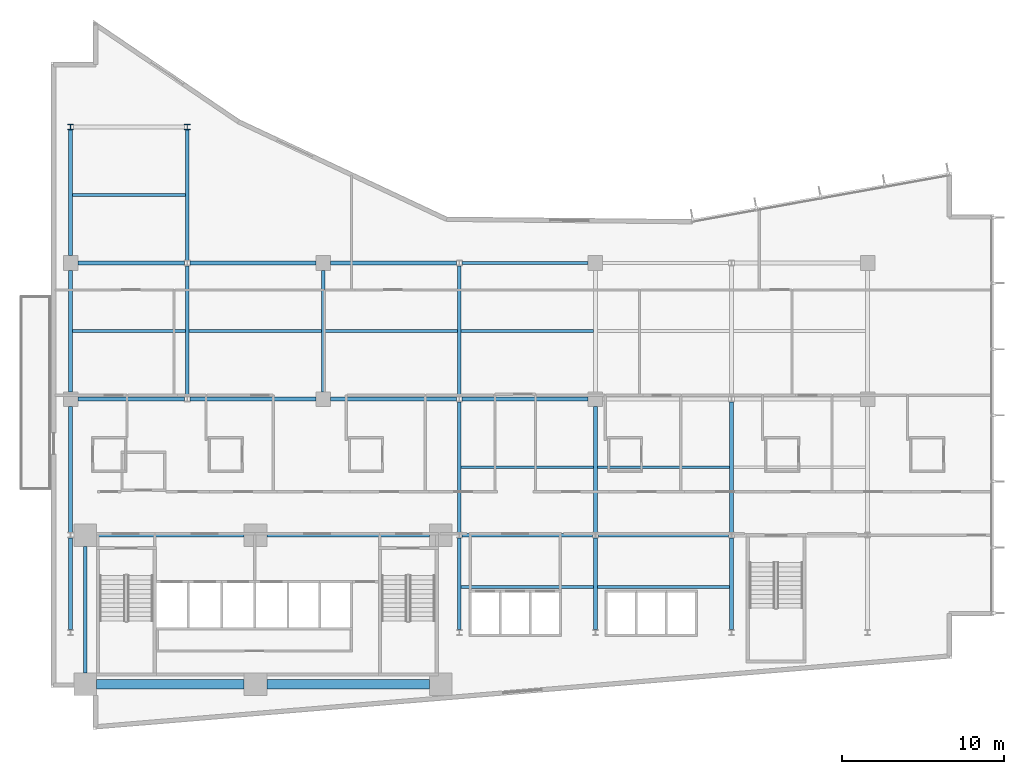
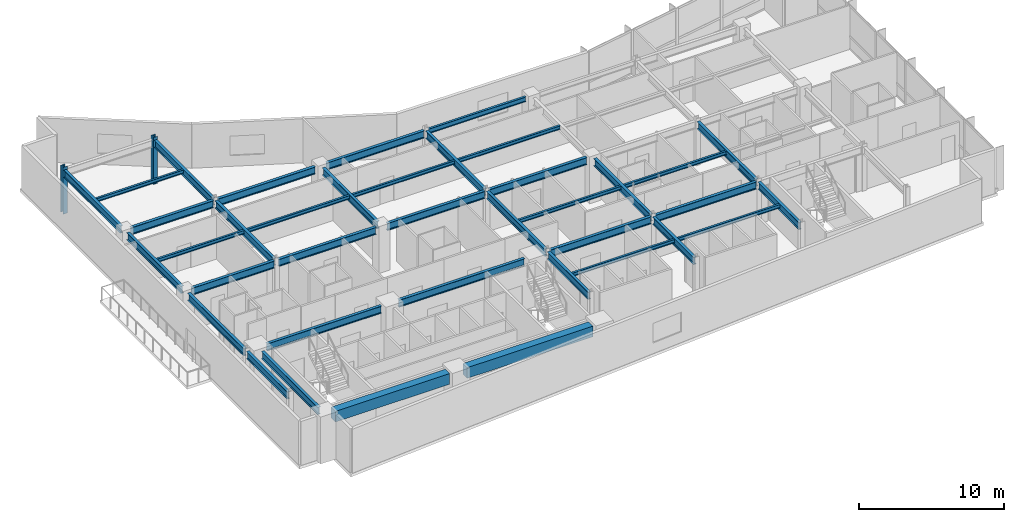
# One storey, part 3 of 20: 38 beams, 2 columns.
"""IFC4 building model written with IfcOpenShell, lengths in metres."""

from ifc_helpers import new_model, si_unit, direction, frame, origin, origin_2d, place, context, subcontext, project, spatial, rectangle, i_section, extrude, material, material_profile, profile_set, type_object, element, save


model = new_model("IFC4")

# Units and contexts
model_context = context("Model", 3, precision=1e-05, world=origin(), true_north=direction((0.0, 1.0)))
body_context = subcontext(model_context, "Body", "Model", "MODEL_VIEW")
ifc_project = project(units=[si_unit("LENGTHUNIT", "METRE"), si_unit("AREAUNIT", "SQUARE_METRE"), si_unit("VOLUMEUNIT", "CUBIC_METRE"), si_unit("PLANEANGLEUNIT", "RADIAN"), si_unit("MASSUNIT", "GRAM", prefix="KILO")], contexts=[model_context])

# Site, building, storey
site_placement = place(None, origin())
site = spatial("IfcSite", under=ifc_project, at=site_placement, CompositionType="ELEMENT")
building_placement = place(site_placement, origin())
building = spatial("IfcBuilding", under=site, at=building_placement, Name="Varnakote Quay Hospital", CompositionType="ELEMENT")
storey_placement = place(building_placement, frame((0.0, 0.0, 26.449951171875)))
storey = spatial("IfcBuildingStorey", under=building, at=storey_placement, Name="L06", CompositionType="ELEMENT", Elevation=26.449951171875)

# Columns
ifc_material_1 = material(Name="Structural steel AS/NZS 3678 Grade 350 (fy 340 MPa)", Category="steel")
ifc_material_profile_1 = material_profile(ifc_material_1, i_section(OverallWidth=0.35009765625, OverallDepth=0.340087890625, WebThickness=0.01611328125, FlangeThickness=0.028076171875, at=origin_2d()), Name="350WC197")
ifc_profile_set_1 = profile_set([ifc_material_profile_1], Name="Structural steel AS/NZS 3678 Grade 350 (fy 340 MPa)")
column_type = type_object("IfcColumnType", Name="COL-STL-350WC197", PredefinedType="COLUMN", material=ifc_profile_set_1)
for number, where, z_axis, x_axis, name in (
    (1, (1.199951171875, 37.199951171875, 0.0), (0.0, 0.0, 1.0), (1.0, 0.0, 0.0), "L06 Structural Column C-1-37"),
    (2, (8.39990234375, 37.199951171875, 0.0), (0.0, 0.0, 1.0), (1.0, 0.0, 0.0), "L06 Structural Column C-8-37"),
):
    element("IfcColumn", number, at=place(storey_placement, frame(where, z_axis=z_axis, x_axis=x_axis)), inside=storey, type_object=column_type, Name=name, PredefinedType="COLUMN", context=body_context, shape_type="SweptSolid", body=[
        extrude(i_section(OverallWidth=0.35009765625, OverallDepth=0.340087890625, WebThickness=0.01611328125, FlangeThickness=0.028076171875, at=origin_2d()), origin(), (0.0, 0.0, 1.0), 3.949951171875),
    ])

# Beams
ifc_material_2 = material(Name="Concrete N65 (f'c 65 MPa)", Category="concrete")
ifc_material_profile_2 = material_profile(ifc_material_2, rectangle(XDim=0.60009765625, YDim=0.89990234375, at=origin_2d()), Name="RC-BM-600x900")
ifc_profile_set_2 = profile_set([ifc_material_profile_2], Name="Concrete N65 (f'c 65 MPa)")
beam_type_1 = type_object("IfcBeamType", Name="BM-RC-600x900", PredefinedType="BEAM", material=ifc_profile_set_2)
beam_1_placement = place(storey_placement, frame((2.800048828125, 2.800048828125, 3.260009765625), z_axis=(1.0, 0.0, 0.0), x_axis=(0.0, 1.0, 0.0)))
element("IfcBeam", 3, at=beam_1_placement, inside=storey, type_object=beam_type_1, Name="L06 Core Rear Coupling Beam", PredefinedType="BEAM", context=body_context, shape_type="SweptSolid", body=[
    extrude(rectangle(XDim=0.60009765625, YDim=0.89990234375, at=origin_2d()), origin(), (0.0, 0.0, 1.0), 9.119873046875),
])
beam_2_placement = place(storey_placement, frame((13.320068359375, 2.800048828125, 3.260009765625), z_axis=(1.0, 0.0, 0.0), x_axis=(0.0, 1.0, 0.0)))
element("IfcBeam", 4, at=beam_2_placement, inside=storey, type_object=beam_type_1, Name="L06 Core Rear Coupling Beam", PredefinedType="BEAM", context=body_context, shape_type="SweptSolid", body=[
    extrude(rectangle(XDim=0.60009765625, YDim=0.89990234375, at=origin_2d()), origin(), (0.0, 0.0, 1.0), 10.030029296875),
])
ifc_material_3 = material(Name="Structural steel AS/NZS 3679.1 Grade 350 L0 (fy 340 MPa)", Category="steel")
ifc_material_profile_3 = material_profile(ifc_material_3, i_section(OverallWidth=0.22900390625, OverallDepth=0.612060546875, WebThickness=0.011962890625, FlangeThickness=0.01953125, FilletRadius=0.013916015625, at=origin_2d()), Name="610UB125")
ifc_profile_set_3 = profile_set([ifc_material_profile_3], Name="Structural steel AS/NZS 3679.1 Grade 350 L0 (fy 340 MPa)")
beam_type_2 = type_object("IfcBeamType", Name="BM-STL-610UB125", PredefinedType="BEAM", material=ifc_profile_set_3)
beam_3_placement = place(storey_placement, frame((2.800048828125, 12.0, 3.404052734375), z_axis=(1.0, 0.0, 0.0), x_axis=(0.0, 1.0, 0.0)))
element("IfcBeam", 5, at=beam_3_placement, inside=storey, type_object=beam_type_2, Name="L06 Primary Floor Beam", PredefinedType="BEAM", context=body_context, shape_type="SweptSolid", body=[
    extrude(i_section(OverallWidth=0.22900390625, OverallDepth=0.612060546875, WebThickness=0.011962890625, FlangeThickness=0.01953125, FilletRadius=0.013916015625, at=origin_2d()), origin(), (0.0, 0.0, 1.0), 9.119873046875),
])
beam_4_placement = place(storey_placement, frame((13.320068359375, 12.0, 3.404052734375), z_axis=(1.0, 0.0, 0.0), x_axis=(0.0, 1.0, 0.0)))
element("IfcBeam", 6, at=beam_4_placement, inside=storey, type_object=beam_type_2, Name="L06 Primary Floor Beam", PredefinedType="BEAM", context=body_context, shape_type="SweptSolid", body=[
    extrude(i_section(OverallWidth=0.22900390625, OverallDepth=0.612060546875, WebThickness=0.011962890625, FlangeThickness=0.01953125, FilletRadius=0.013916015625, at=origin_2d()), origin(), (0.0, 0.0, 1.0), 10.030029296875),
])
for number, where, z_axis, x_axis, name in (
    (7, (25.375, 12.0, 3.404052734375), (1.0, 0.0, 0.0), (0.0, 1.0, 0.0), "L06 Primary Floor Beam"),
    (8, (33.77490234375, 12.0, 3.404052734375), (1.0, 0.0, 0.0), (0.0, 1.0, 0.0), "L06 Primary Floor Beam"),
):
    element("IfcBeam", number, at=place(storey_placement, frame(where, z_axis=z_axis, x_axis=x_axis)), inside=storey, type_object=beam_type_2, Name=name, PredefinedType="BEAM", context=body_context, shape_type="SweptSolid", body=[
        extrude(i_section(OverallWidth=0.22900390625, OverallDepth=0.612060546875, WebThickness=0.011962890625, FlangeThickness=0.01953125, FilletRadius=0.013916015625, at=origin_2d()), origin(), (0.0, 0.0, 1.0), 8.050048828125),
    ])
beam_5_placement = place(storey_placement, frame((1.64990234375, 20.39990234375, 3.404052734375), z_axis=(1.0, 0.0, 0.0), x_axis=(0.0, 1.0, 0.0)))
element("IfcBeam", 9, at=beam_5_placement, inside=storey, type_object=beam_type_2, Name="L06 Primary Floor Beam", PredefinedType="BEAM", context=body_context, shape_type="SweptSolid", body=[
    extrude(i_section(OverallWidth=0.22900390625, OverallDepth=0.612060546875, WebThickness=0.011962890625, FlangeThickness=0.01953125, FilletRadius=0.013916015625, at=origin_2d()), origin(), (0.0, 0.0, 1.0), 6.5751953125),
])
beam_6_placement = place(storey_placement, frame((8.574951171875, 20.39990234375, 3.404052734375), z_axis=(1.0, 0.0, 0.0), x_axis=(0.0, 1.0, 0.0)))
element("IfcBeam", 10, at=beam_6_placement, inside=storey, type_object=beam_type_2, Name="L06 Primary Floor Beam", PredefinedType="BEAM", context=body_context, shape_type="SweptSolid", body=[
    extrude(i_section(OverallWidth=0.22900390625, OverallDepth=0.612060546875, WebThickness=0.011962890625, FlangeThickness=0.01953125, FilletRadius=0.013916015625, at=origin_2d()), origin(), (0.0, 0.0, 1.0), 7.775146484375),
])
for number, where, z_axis, x_axis, name in (
    (11, (17.25, 20.39990234375, 3.404052734375), (1.0, 0.0, 0.0), (0.0, 1.0, 0.0), "L06 Primary Floor Beam"),
    (12, (25.375, 20.39990234375, 3.404052734375), (1.0, 0.0, 0.0), (0.0, 1.0, 0.0), "L06 Primary Floor Beam"),
):
    element("IfcBeam", number, at=place(storey_placement, frame(where, z_axis=z_axis, x_axis=x_axis)), inside=storey, type_object=beam_type_2, Name=name, PredefinedType="BEAM", context=body_context, shape_type="SweptSolid", body=[
        extrude(i_section(OverallWidth=0.22900390625, OverallDepth=0.612060546875, WebThickness=0.011962890625, FlangeThickness=0.01953125, FilletRadius=0.013916015625, at=origin_2d()), origin(), (0.0, 0.0, 1.0), 7.77490234375),
    ])
beam_7_placement = place(storey_placement, frame((1.64990234375, 28.800048828125, 3.404052734375), z_axis=(1.0, 0.0, 0.0), x_axis=(0.0, 1.0, 0.0)))
element("IfcBeam", 13, at=beam_7_placement, inside=storey, type_object=beam_type_2, Name="L06 Primary Floor Beam", PredefinedType="BEAM", context=body_context, shape_type="SweptSolid", body=[
    extrude(i_section(OverallWidth=0.22900390625, OverallDepth=0.612060546875, WebThickness=0.011962890625, FlangeThickness=0.01953125, FilletRadius=0.013916015625, at=origin_2d()), origin(), (0.0, 0.0, 1.0), 6.5751953125),
])
beam_8_placement = place(storey_placement, frame((8.574951171875, 28.800048828125, 3.404052734375), z_axis=(1.0, 0.0, 0.0), x_axis=(0.0, 1.0, 0.0)))
element("IfcBeam", 14, at=beam_8_placement, inside=storey, type_object=beam_type_2, Name="L06 Primary Floor Beam", PredefinedType="BEAM", context=body_context, shape_type="SweptSolid", body=[
    extrude(i_section(OverallWidth=0.22900390625, OverallDepth=0.612060546875, WebThickness=0.011962890625, FlangeThickness=0.01953125, FilletRadius=0.013916015625, at=origin_2d()), origin(), (0.0, 0.0, 1.0), 7.775146484375),
])
beam_9_placement = place(storey_placement, frame((17.25, 28.800048828125, 3.404052734375), z_axis=(1.0, 0.0, 0.0), x_axis=(0.0, 1.0, 0.0)))
element("IfcBeam", 15, at=beam_9_placement, inside=storey, type_object=beam_type_2, Name="L06 Primary Floor Beam", PredefinedType="BEAM", context=body_context, shape_type="SweptSolid", body=[
    extrude(i_section(OverallWidth=0.22900390625, OverallDepth=0.612060546875, WebThickness=0.011962890625, FlangeThickness=0.01953125, FilletRadius=0.013916015625, at=origin_2d()), origin(), (0.0, 0.0, 1.0), 7.77490234375),
])
beam_10_placement = place(storey_placement, frame((1.199951171875, 6.169921875, 3.404052734375), z_axis=(0.0, 1.0, 0.0), x_axis=(-1.0, 0.0, 0.0)))
element("IfcBeam", 16, at=beam_10_placement, inside=storey, type_object=beam_type_2, Name="L06 Primary Tie Beam", PredefinedType="BEAM", context=body_context, shape_type="SweptSolid", body=[
    extrude(i_section(OverallWidth=0.22900390625, OverallDepth=0.612060546875, WebThickness=0.011962890625, FlangeThickness=0.01953125, FilletRadius=0.013916015625, at=origin_2d()), origin(), (0.0, 0.0, 1.0), 5.66015625),
])
beam_11_placement = place(storey_placement, frame((1.199951171875, 12.169921875, 3.404052734375), z_axis=(0.0, 1.0, 0.0), x_axis=(-1.0, 0.0, 0.0)))
element("IfcBeam", 17, at=beam_11_placement, inside=storey, type_object=beam_type_2, Name="L06 Primary Tie Beam", PredefinedType="BEAM", context=body_context, shape_type="SweptSolid", body=[
    extrude(i_section(OverallWidth=0.22900390625, OverallDepth=0.612060546875, WebThickness=0.011962890625, FlangeThickness=0.01953125, FilletRadius=0.013916015625, at=origin_2d()), origin(), (0.0, 0.0, 1.0), 7.780029296875),
])
beam_12_placement = place(storey_placement, frame((1.199951171875, 20.85009765625, 3.404052734375), z_axis=(0.0, 1.0, 0.0), x_axis=(-1.0, 0.0, 0.0)))
element("IfcBeam", 18, at=beam_12_placement, inside=storey, type_object=beam_type_2, Name="L06 Primary Tie Beam", PredefinedType="BEAM", context=body_context, shape_type="SweptSolid", body=[
    extrude(i_section(OverallWidth=0.22900390625, OverallDepth=0.612060546875, WebThickness=0.011962890625, FlangeThickness=0.01953125, FilletRadius=0.013916015625, at=origin_2d()), origin(), (0.0, 0.0, 1.0), 7.5),
])
beam_13_placement = place(storey_placement, frame((1.199951171875, 29.25, 3.404052734375), z_axis=(0.0, 1.0, 0.0), x_axis=(-1.0, 0.0, 0.0)))
element("IfcBeam", 19, at=beam_13_placement, inside=storey, type_object=beam_type_2, Name="L06 Primary Tie Beam", PredefinedType="BEAM", context=body_context, shape_type="SweptSolid", body=[
    extrude(i_section(OverallWidth=0.22900390625, OverallDepth=0.612060546875, WebThickness=0.011962890625, FlangeThickness=0.01953125, FilletRadius=0.013916015625, at=origin_2d()), origin(), (0.0, 0.0, 1.0), 7.780029296875),
])
beam_14_placement = place(storey_placement, frame((2.10009765625, 3.5, 3.404052734375), z_axis=(0.0, 1.0, 0.0), x_axis=(-1.0, 0.0, 0.0)))
element("IfcBeam", 20, at=beam_14_placement, inside=storey, type_object=beam_type_2, Name="L06 Primary Tie Beam", PredefinedType="BEAM", context=body_context, shape_type="SweptSolid", body=[
    extrude(i_section(OverallWidth=0.22900390625, OverallDepth=0.612060546875, WebThickness=0.011962890625, FlangeThickness=0.01953125, FilletRadius=0.013916015625, at=origin_2d()), origin(), (0.0, 0.0, 1.0), 7.800048828125),
])
beam_15_placement = place(storey_placement, frame((8.39990234375, 20.570068359375, 3.404052734375), z_axis=(0.0, 1.0, 0.0), x_axis=(-1.0, 0.0, 0.0)))
element("IfcBeam", 21, at=beam_15_placement, inside=storey, type_object=beam_type_2, Name="L06 Primary Tie Beam", PredefinedType="BEAM", context=body_context, shape_type="SweptSolid", body=[
    extrude(i_section(OverallWidth=0.22900390625, OverallDepth=0.612060546875, WebThickness=0.011962890625, FlangeThickness=0.01953125, FilletRadius=0.013916015625, at=origin_2d()), origin(), (0.0, 0.0, 1.0), 8.059814453125),
])
beam_16_placement = place(storey_placement, frame((8.39990234375, 28.969970703125, 3.404052734375), z_axis=(0.0, 1.0, 0.0), x_axis=(-1.0, 0.0, 0.0)))
element("IfcBeam", 22, at=beam_16_placement, inside=storey, type_object=beam_type_2, Name="L06 Primary Tie Beam", PredefinedType="BEAM", context=body_context, shape_type="SweptSolid", body=[
    extrude(i_section(OverallWidth=0.22900390625, OverallDepth=0.612060546875, WebThickness=0.011962890625, FlangeThickness=0.01953125, FilletRadius=0.013916015625, at=origin_2d()), origin(), (0.0, 0.0, 1.0), 8.06005859375),
])
beam_17_placement = place(storey_placement, frame((16.800048828125, 20.85009765625, 3.404052734375), z_axis=(0.0, 1.0, 0.0), x_axis=(-1.0, 0.0, 0.0)))
element("IfcBeam", 23, at=beam_17_placement, inside=storey, type_object=beam_type_2, Name="L06 Primary Tie Beam", PredefinedType="BEAM", context=body_context, shape_type="SweptSolid", body=[
    extrude(i_section(OverallWidth=0.22900390625, OverallDepth=0.612060546875, WebThickness=0.011962890625, FlangeThickness=0.01953125, FilletRadius=0.013916015625, at=origin_2d()), origin(), (0.0, 0.0, 1.0), 7.5),
])
beam_18_placement = place(storey_placement, frame((25.199951171875, 6.169921875, 3.404052734375), z_axis=(0.0, 1.0, 0.0), x_axis=(-1.0, 0.0, 0.0)))
element("IfcBeam", 24, at=beam_18_placement, inside=storey, type_object=beam_type_2, Name="L06 Primary Tie Beam", PredefinedType="BEAM", context=body_context, shape_type="SweptSolid", body=[
    extrude(i_section(OverallWidth=0.22900390625, OverallDepth=0.612060546875, WebThickness=0.011962890625, FlangeThickness=0.01953125, FilletRadius=0.013916015625, at=origin_2d()), origin(), (0.0, 0.0, 1.0), 5.66015625),
])
beam_19_placement = place(storey_placement, frame((25.199951171875, 12.169921875, 3.404052734375), z_axis=(0.0, 1.0, 0.0), x_axis=(-1.0, 0.0, 0.0)))
element("IfcBeam", 25, at=beam_19_placement, inside=storey, type_object=beam_type_2, Name="L06 Primary Tie Beam", PredefinedType="BEAM", context=body_context, shape_type="SweptSolid", body=[
    extrude(i_section(OverallWidth=0.22900390625, OverallDepth=0.612060546875, WebThickness=0.011962890625, FlangeThickness=0.01953125, FilletRadius=0.013916015625, at=origin_2d()), origin(), (0.0, 0.0, 1.0), 8.06005859375),
])
beam_20_placement = place(storey_placement, frame((25.199951171875, 20.570068359375, 3.404052734375), z_axis=(0.0, 1.0, 0.0), x_axis=(-1.0, 0.0, 0.0)))
element("IfcBeam", 26, at=beam_20_placement, inside=storey, type_object=beam_type_2, Name="L06 Primary Tie Beam", PredefinedType="BEAM", context=body_context, shape_type="SweptSolid", body=[
    extrude(i_section(OverallWidth=0.22900390625, OverallDepth=0.612060546875, WebThickness=0.011962890625, FlangeThickness=0.01953125, FilletRadius=0.013916015625, at=origin_2d()), origin(), (0.0, 0.0, 1.0), 8.059814453125),
])
beam_21_placement = place(storey_placement, frame((33.60009765625, 6.169921875, 3.404052734375), z_axis=(0.0, 1.0, 0.0), x_axis=(-1.0, 0.0, 0.0)))
element("IfcBeam", 27, at=beam_21_placement, inside=storey, type_object=beam_type_2, Name="L06 Primary Tie Beam", PredefinedType="BEAM", context=body_context, shape_type="SweptSolid", body=[
    extrude(i_section(OverallWidth=0.22900390625, OverallDepth=0.612060546875, WebThickness=0.011962890625, FlangeThickness=0.01953125, FilletRadius=0.013916015625, at=origin_2d()), origin(), (0.0, 0.0, 1.0), 5.66015625),
])
beam_22_placement = place(storey_placement, frame((33.60009765625, 12.169921875, 3.404052734375), z_axis=(0.0, 1.0, 0.0), x_axis=(-1.0, 0.0, 0.0)))
element("IfcBeam", 28, at=beam_22_placement, inside=storey, type_object=beam_type_2, Name="L06 Primary Tie Beam", PredefinedType="BEAM", context=body_context, shape_type="SweptSolid", body=[
    extrude(i_section(OverallWidth=0.22900390625, OverallDepth=0.612060546875, WebThickness=0.011962890625, FlangeThickness=0.01953125, FilletRadius=0.013916015625, at=origin_2d()), origin(), (0.0, 0.0, 1.0), 7.780029296875),
])
beam_23_placement = place(storey_placement, frame((42.0, 6.169921875, 3.404052734375), z_axis=(0.0, 1.0, 0.0), x_axis=(-1.0, 0.0, 0.0)))
element("IfcBeam", 29, at=beam_23_placement, inside=storey, type_object=beam_type_2, Name="L06 Primary Tie Beam", PredefinedType="BEAM", context=body_context, shape_type="SweptSolid", body=[
    extrude(i_section(OverallWidth=0.22900390625, OverallDepth=0.612060546875, WebThickness=0.011962890625, FlangeThickness=0.01953125, FilletRadius=0.013916015625, at=origin_2d()), origin(), (0.0, 0.0, 1.0), 5.66015625),
])
beam_24_placement = place(storey_placement, frame((42.0, 12.169921875, 3.404052734375), z_axis=(0.0, 1.0, 0.0), x_axis=(-1.0, 0.0, 0.0)))
element("IfcBeam", 30, at=beam_24_placement, inside=storey, type_object=beam_type_2, Name="L06 Primary Tie Beam", PredefinedType="BEAM", context=body_context, shape_type="SweptSolid", body=[
    extrude(i_section(OverallWidth=0.22900390625, OverallDepth=0.612060546875, WebThickness=0.011962890625, FlangeThickness=0.01953125, FilletRadius=0.013916015625, at=origin_2d()), origin(), (0.0, 0.0, 1.0), 8.06005859375),
])
ifc_material_4 = material(Name="Structural steel AS/NZS 3679.1 Grade 350 L0 (fy 340 MPa)", Category="steel")
ifc_material_profile_4 = material_profile(ifc_material_4, i_section(OverallWidth=0.166015625, OverallDepth=0.306884765625, WebThickness=0.006591796875, FlangeThickness=0.01171875, FilletRadius=0.011474609375, at=origin_2d()), Name="310UB46.2")
ifc_profile_set_4 = profile_set([ifc_material_profile_4], Name="Structural steel AS/NZS 3679.1 Grade 350 L0 (fy 340 MPa)")
beam_type_3 = type_object("IfcBeamType", Name="JST-STL-310UB46-2", PredefinedType="JOIST", material=ifc_profile_set_4)
beam_25_placement = place(storey_placement, frame((25.314453125, 8.800048828125, 3.556640625), z_axis=(1.0, 0.0, 0.0), x_axis=(0.0, 1.0, 0.0)))
element("IfcBeam", 31, at=beam_25_placement, inside=storey, type_object=beam_type_3, Name="L06 Composite Floor Joist", PredefinedType="JOIST", context=body_context, shape_type="SweptSolid", body=[
    extrude(i_section(OverallWidth=0.166015625, OverallDepth=0.306884765625, WebThickness=0.006591796875, FlangeThickness=0.01171875, FilletRadius=0.011474609375, at=origin_2d()), origin(), (0.0, 0.0, 1.0), 8.171142578125),
])
beam_26_placement = place(storey_placement, frame((33.714599609375, 8.800048828125, 3.556640625), z_axis=(1.0, 0.0, 0.0), x_axis=(0.0, 1.0, 0.0)))
element("IfcBeam", 32, at=beam_26_placement, inside=storey, type_object=beam_type_3, Name="L06 Composite Floor Joist", PredefinedType="JOIST", context=body_context, shape_type="SweptSolid", body=[
    extrude(i_section(OverallWidth=0.166015625, OverallDepth=0.306884765625, WebThickness=0.006591796875, FlangeThickness=0.01171875, FilletRadius=0.011474609375, at=origin_2d()), origin(), (0.0, 0.0, 1.0), 8.1708984375),
])
beam_27_placement = place(storey_placement, frame((25.314453125, 16.199951171875, 3.556640625), z_axis=(1.0, 0.0, 0.0), x_axis=(0.0, 1.0, 0.0)))
element("IfcBeam", 33, at=beam_27_placement, inside=storey, type_object=beam_type_3, Name="L06 Composite Floor Joist", PredefinedType="JOIST", context=body_context, shape_type="SweptSolid", body=[
    extrude(i_section(OverallWidth=0.166015625, OverallDepth=0.306884765625, WebThickness=0.006591796875, FlangeThickness=0.01171875, FilletRadius=0.011474609375, at=origin_2d()), origin(), (0.0, 0.0, 1.0), 8.171142578125),
])
beam_28_placement = place(storey_placement, frame((33.714599609375, 16.199951171875, 3.556640625), z_axis=(1.0, 0.0, 0.0), x_axis=(0.0, 1.0, 0.0)))
element("IfcBeam", 34, at=beam_28_placement, inside=storey, type_object=beam_type_3, Name="L06 Composite Floor Joist", PredefinedType="JOIST", context=body_context, shape_type="SweptSolid", body=[
    extrude(i_section(OverallWidth=0.166015625, OverallDepth=0.306884765625, WebThickness=0.006591796875, FlangeThickness=0.01171875, FilletRadius=0.011474609375, at=origin_2d()), origin(), (0.0, 0.0, 1.0), 8.1708984375),
])
beam_29_placement = place(storey_placement, frame((1.314453125, 24.60009765625, 3.556640625), z_axis=(1.0, 0.0, 0.0), x_axis=(0.0, 1.0, 0.0)))
element("IfcBeam", 35, at=beam_29_placement, inside=storey, type_object=beam_type_3, Name="L06 Composite Floor Joist", PredefinedType="JOIST", context=body_context, shape_type="SweptSolid", body=[
    extrude(i_section(OverallWidth=0.166015625, OverallDepth=0.306884765625, WebThickness=0.006591796875, FlangeThickness=0.01171875, FilletRadius=0.011474609375, at=origin_2d()), origin(), (0.0, 0.0, 1.0), 6.970947265625),
])
beam_30_placement = place(storey_placement, frame((8.514404296875, 24.60009765625, 3.556640625), z_axis=(1.0, 0.0, 0.0), x_axis=(0.0, 1.0, 0.0)))
element("IfcBeam", 36, at=beam_30_placement, inside=storey, type_object=beam_type_3, Name="L06 Composite Floor Joist", PredefinedType="JOIST", context=body_context, shape_type="SweptSolid", body=[
    extrude(i_section(OverallWidth=0.166015625, OverallDepth=0.306884765625, WebThickness=0.006591796875, FlangeThickness=0.01171875, FilletRadius=0.011474609375, at=origin_2d()), origin(), (0.0, 0.0, 1.0), 8.171142578125),
])
beam_31_placement = place(storey_placement, frame((16.91455078125, 24.60009765625, 3.556640625), z_axis=(1.0, 0.0, 0.0), x_axis=(0.0, 1.0, 0.0)))
element("IfcBeam", 37, at=beam_31_placement, inside=storey, type_object=beam_type_3, Name="L06 Composite Floor Joist", PredefinedType="JOIST", context=body_context, shape_type="SweptSolid", body=[
    extrude(i_section(OverallWidth=0.166015625, OverallDepth=0.306884765625, WebThickness=0.006591796875, FlangeThickness=0.01171875, FilletRadius=0.011474609375, at=origin_2d()), origin(), (0.0, 0.0, 1.0), 8.1708984375),
])
beam_32_placement = place(storey_placement, frame((25.314453125, 24.60009765625, 3.556640625), z_axis=(1.0, 0.0, 0.0), x_axis=(0.0, 1.0, 0.0)))
element("IfcBeam", 38, at=beam_32_placement, inside=storey, type_object=beam_type_3, Name="L06 Composite Floor Joist", PredefinedType="JOIST", context=body_context, shape_type="SweptSolid", body=[
    extrude(i_section(OverallWidth=0.166015625, OverallDepth=0.306884765625, WebThickness=0.006591796875, FlangeThickness=0.01171875, FilletRadius=0.011474609375, at=origin_2d()), origin(), (0.0, 0.0, 1.0), 8.171142578125),
])
beam_33_placement = place(storey_placement, frame((1.314453125, 33.0, 3.556640625), z_axis=(1.0, 0.0, 0.0), x_axis=(0.0, 1.0, 0.0)))
element("IfcBeam", 39, at=beam_33_placement, inside=storey, type_object=beam_type_3, Name="L06 Composite Floor Joist", PredefinedType="JOIST", context=body_context, shape_type="SweptSolid", body=[
    extrude(i_section(OverallWidth=0.166015625, OverallDepth=0.306884765625, WebThickness=0.006591796875, FlangeThickness=0.01171875, FilletRadius=0.011474609375, at=origin_2d()), origin(), (0.0, 0.0, 1.0), 6.970947265625),
])
ifc_material_5 = material(Name="Structural steel AS/NZS 3679.1 Grade 350 L0 (fy 340 MPa)", Category="steel")
ifc_material_profile_5 = material_profile(ifc_material_5, i_section(OverallWidth=0.177978515625, OverallDepth=0.406005859375, WebThickness=0.0078125, FlangeThickness=0.0126953125, FilletRadius=0.011474609375, at=origin_2d()), Name="410UB59.7")
ifc_profile_set_5 = profile_set([ifc_material_profile_5], Name="Structural steel AS/NZS 3679.1 Grade 350 L0 (fy 340 MPa)")
beam_type_4 = type_object("IfcBeamType", Name="SPN-STL-410UB59-7", PredefinedType="SPANDREL", material=ifc_profile_set_5)
beam_34_placement = place(storey_placement, frame((25.375, 28.800048828125, 3.507080078125), z_axis=(1.0, 0.0, 0.0), x_axis=(0.0, 1.0, 0.0)))
element("IfcBeam", 40, at=beam_34_placement, inside=storey, type_object=beam_type_4, Name="L06 Perimeter Spandrel Beam", PredefinedType="SPANDREL", context=body_context, shape_type="SweptSolid", body=[
    extrude(i_section(OverallWidth=0.177978515625, OverallDepth=0.406005859375, WebThickness=0.0078125, FlangeThickness=0.0126953125, FilletRadius=0.011474609375, at=origin_2d()), origin(), (0.0, 0.0, 1.0), 7.77490234375),
])

save(model, "model.ifc")
